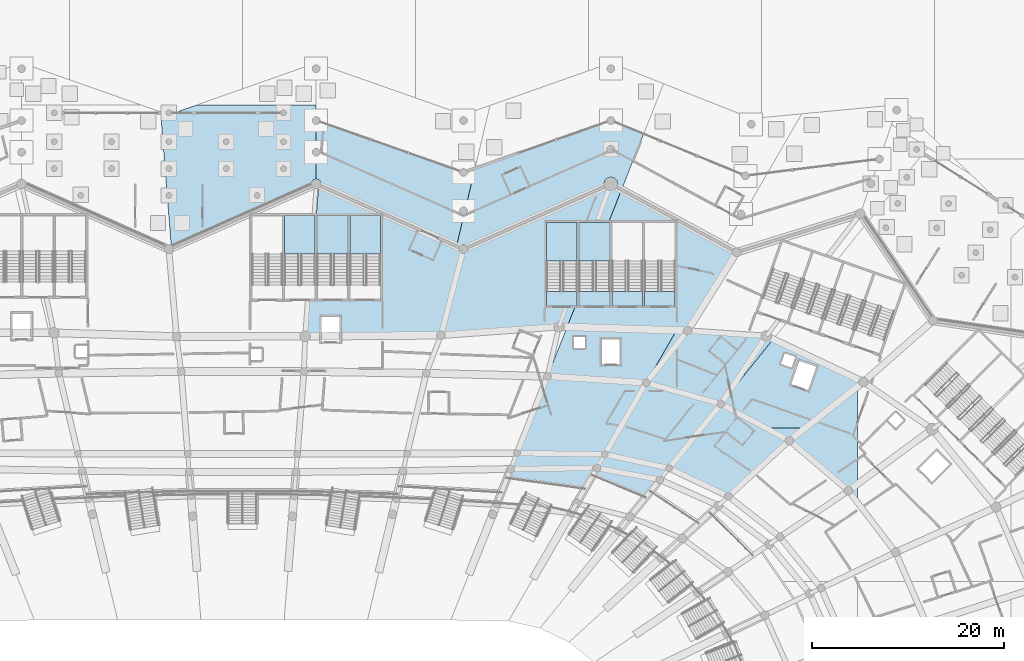
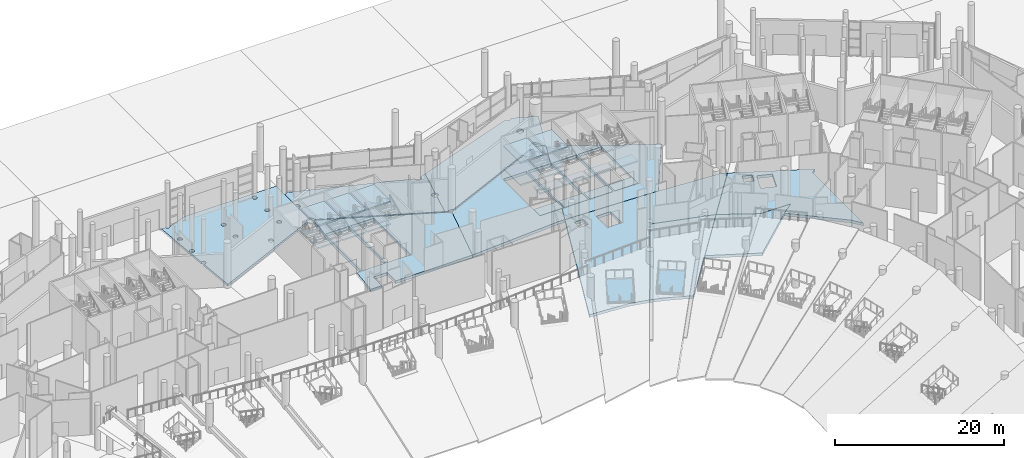
# One storey, part 96 of 255: 29 slabs, 7 elements without a shape of their own.
"""IFC4 building model written with IfcOpenShell, lengths in metres."""

from ifc_helpers import new_model, si_unit, direction, frame, origin, place, context, subcontext, project, spatial, polyline, outline, extrude, material, layer, layer_set, type_object, element, aggregate, save


model = new_model("IFC4")

# Units and contexts
model_context = context("Model", 3, precision=1e-05, world=origin(), true_north=direction((0.0, 1.0)))
body_context = subcontext(model_context, "Body", "Model", "MODEL_VIEW")
ifc_project = project(units=[si_unit("LENGTHUNIT", "METRE"), si_unit("AREAUNIT", "SQUARE_METRE"), si_unit("VOLUMEUNIT", "CUBIC_METRE"), si_unit("PLANEANGLEUNIT", "RADIAN"), si_unit("MASSUNIT", "GRAM", prefix="KILO")], contexts=[model_context])

# Site, building, storey
site_placement = place(None, origin())
site = spatial("IfcSite", under=ifc_project, at=site_placement, CompositionType="ELEMENT")
building_placement = place(site_placement, origin())
building = spatial("IfcBuilding", under=site, at=building_placement, Name="Meseta Stadium", CompositionType="ELEMENT")
storey_placement = place(building_placement, origin())
storey = spatial("IfcBuildingStorey", under=building, at=storey_placement, Name="L00", CompositionType="ELEMENT", Elevation=0.0)

# Slabs
ifc_material_1 = material(Name="Concrete C40/50", Category="concrete")
ifc_layer_1 = layer(ifc_material_1, 0.39990234375)
ifc_layer_set_1 = layer_set([ifc_layer_1], Name="Floor slab 400")
slab_type_1 = type_object("IfcSlabType", Name="Floor slab 400", PredefinedType="FLOOR", material=ifc_layer_set_1)
slab_1_placement = place(storey_placement, frame((0.0, 0.0, -0.39990234375)))
element("IfcSlab", 1, at=slab_1_placement, inside=storey, type_object=slab_type_1, Name="Floor slab L00 sector 07 panel 02", PredefinedType="FLOOR", context=body_context, shape_type="SweptSolid", body=[
    extrude(outline(polyline([(49.800048828125, 82.493896484375), (44.3994140625, 75.802001953125), (50.571533203125, 72.888916015625), (56.9150390625, 78.69580078125), (58.563720703125, 80.0), (54.4716796875, 80.0), (49.800048828125, 82.493896484375)])), origin(), (0.0, 0.0, 1.0), 0.39990234375),
])
slab_2_placement = place(storey_placement, frame((0.0, 0.0, -0.39990234375)))
element("IfcSlab", 2, at=slab_2_placement, inside=storey, type_object=slab_type_1, Name="Floor slab L00 sector 07 panel 03", PredefinedType="FLOOR", context=body_context, shape_type="SweptSolid", body=[
    extrude(outline(polyline([(64.0, 72.251708984375), (64.0, 84.300537109375), (64.6220703125, 84.79248046875), (55.242919921875, 89.238037109375), (49.800048828125, 82.493896484375), (54.4716796875, 80.0), (58.563720703125, 80.0), (56.9150390625, 78.69580078125), (63.068115234375, 73.469970703125), (64.0, 72.251708984375)]), holes=[polyline([(59.735595703125, 86.378173828125), (58.876953125, 83.924072265625), (57.08349609375, 84.551513671875), (57.9423828125, 87.005615234375), (59.735595703125, 86.378173828125)]), polyline([(57.156494140625, 86.274169921875), (56.02392578125, 86.67041015625), (56.42041015625, 87.802978515625), (57.552978515625, 87.40673828125), (57.156494140625, 86.274169921875)])]), origin(), (0.0, 0.0, 1.0), 0.39990234375),
])
slab_3_placement = place(storey_placement, frame((0.0, 0.0, -0.39990234375)))
element("IfcSlab", 3, at=slab_3_placement, inside=storey, type_object=slab_type_1, Name="Floor slab L00 sector 14 panel 08", PredefinedType="FLOOR", context=body_context, shape_type="SweptSolid", body=[
    extrude(outline(polyline([(10.11669921875, 91.60009765625), (10.11669921875, 89.574462890625), (20.649658203125, 89.65625), (23.0, 98.60009765625), (7.92724609375, 105.284423828125), (7.566650390625, 100.740478515625), (7.566650390625, 93.39990234375), (6.984130859375, 93.39990234375), (6.678466796875, 89.547607421875), (8.216796875, 89.5595703125), (8.216796875, 91.60009765625), (10.11669921875, 91.60009765625)]), holes=[polyline([(10.966796875, 102.10009765625), (10.966796875, 93.39990234375), (7.7666015625, 93.39990234375), (7.7666015625, 102.10009765625), (10.966796875, 102.10009765625)]), polyline([(14.36669921875, 102.10009765625), (14.36669921875, 93.39990234375), (11.166748046875, 93.39990234375), (11.166748046875, 102.10009765625), (14.36669921875, 102.10009765625)])]), origin(), (0.0, 0.0, 1.0), 0.39990234375),
])
slab_4_placement = place(storey_placement, frame((0.0, 0.0, -0.39990234375)))
element("IfcSlab", 4, at=slab_4_placement, inside=storey, type_object=slab_type_1, Name="Floor slab L00 sector 14 panel 10", PredefinedType="FLOOR", context=body_context, shape_type="SweptSolid", body=[
    extrude(outline(polyline([(38.09521484375, 101.39990234375), (39.443603515625, 104.798095703125), (38.333251953125, 105.39990234375), (23.0, 98.60009765625), (20.649658203125, 89.65625), (32.944091796875, 90.551025390625), (33.779541015625, 90.524658203125), (34.642822265625, 92.699951171875), (31.63330078125, 92.699951171875), (31.63330078125, 101.39990234375), (34.833251953125, 101.39990234375), (34.833251953125, 93.179931640625), (35.033203125, 93.683837890625), (35.033203125, 101.39990234375), (38.09521484375, 101.39990234375)])), origin(), (0.0, 0.0, 1.0), 0.39990234375),
])
slab_5_placement = place(storey_placement, frame((0.0, 0.0, -0.39990234375)))
element("IfcSlab", 5, at=slab_5_placement, inside=storey, type_object=slab_type_1, Name="Floor slab L00 sector 14 panel 11", PredefinedType="FLOOR", context=body_context, shape_type="SweptSolid", body=[
    extrude(outline(polyline([(33.32763671875, 71.380615234375), (34.185302734375, 71.16064453125), (45.169189453125, 90.1630859375), (33.779541015625, 90.524658203125), (26.461669921875, 72.08349609375), (28.178466796875, 71.9716796875), (29.8876953125, 71.856201171875), (31.589111328125, 71.7373046875), (32.4619140625, 71.572998046875), (33.32763671875, 71.380615234375)]), holes=[polyline([(37.38330078125, 89.251220703125), (39.283203125, 89.251220703125), (39.283203125, 86.651123046875), (37.38330078125, 86.651123046875), (37.38330078125, 89.251220703125)]), polyline([(35.683349609375, 88.301025390625), (34.4833984375, 88.301025390625), (34.4833984375, 89.501220703125), (35.683349609375, 89.501220703125), (35.683349609375, 88.301025390625)])]), origin(), (0.0, 0.0, 1.0), 0.39990234375),
])
slab_6_placement = place(storey_placement, frame((0.0, 0.0, -0.39990234375)))
element("IfcSlab", 6, at=slab_6_placement, inside=storey, type_object=slab_type_1, Name="Floor slab L00 sector 14 panel 12", PredefinedType="FLOOR", context=body_context, shape_type="SweptSolid", body=[
    extrude(outline(polyline([(42.015380859375, 84.707275390625), (34.185302734375, 71.16064453125), (35.033935546875, 70.9130859375), (35.873291015625, 70.638427734375), (36.701904296875, 70.3369140625), (37.519775390625, 70.0087890625), (38.325439453125, 69.654541015625), (39.109375, 69.279052734375), (49.78076171875, 82.501708984375), (42.015380859375, 84.707275390625)])), origin(), (0.0, 0.0, 1.0), 0.39990234375),
])
slab_7_placement = place(storey_placement, frame((0.0, 0.0, -0.39990234375)))
element("IfcSlab", 7, at=slab_7_placement, inside=storey, type_object=slab_type_1, Name="Floor slab L00 sector 14 panel 13", PredefinedType="FLOOR", context=body_context, shape_type="SweptSolid", body=[
    extrude(outline(polyline([(34.642822265625, 92.699951171875), (33.779541015625, 90.524658203125), (46.333251953125, 90.126220703125), (51.44140625, 98.29443359375), (39.443603515625, 104.798095703125), (38.09521484375, 101.39990234375), (38.2333984375, 101.39990234375), (38.2333984375, 92.699951171875), (35.033203125, 92.699951171875), (35.033203125, 93.683837890625), (34.833251953125, 93.179931640625), (34.833251953125, 92.699951171875), (34.642822265625, 92.699951171875)]), holes=[polyline([(38.433349609375, 101.39990234375), (41.63330078125, 101.39990234375), (41.63330078125, 92.699951171875), (38.433349609375, 92.699951171875), (38.433349609375, 101.39990234375)]), polyline([(41.833251953125, 101.39990234375), (45.033203125, 101.39990234375), (45.033203125, 92.699951171875), (41.833251953125, 92.699951171875), (41.833251953125, 101.39990234375)])]), origin(), (0.0, 0.0, 1.0), 0.39990234375),
])
slab_8_placement = place(storey_placement, frame((0.0, 0.0, -0.39990234375)))
element("IfcSlab", 8, at=slab_8_placement, inside=storey, type_object=slab_type_1, Name="Floor slab L00 sector 14 panel 14", PredefinedType="FLOOR", context=body_context, shape_type="SweptSolid", body=[
    extrude(outline(polyline([(42.015380859375, 84.707275390625), (49.78076171875, 82.501708984375), (55.224365234375, 89.246826171875), (54.523193359375, 89.579345703125), (46.333251953125, 90.126220703125), (45.169189453125, 90.1630859375), (42.015380859375, 84.707275390625)])), origin(), (0.0, 0.0, 1.0), 0.39990234375),
])
ifc_material_2 = material(Name="Concrete C30/37", Category="concrete")
ifc_layer_2 = layer(ifc_material_2, 0.300048828125)
ifc_layer_set_2 = layer_set([ifc_layer_2], Name="Gate grade slab 300")
slab_type_2 = type_object("IfcSlabType", Name="Gate grade slab 300", PredefinedType="BASESLAB", material=ifc_layer_set_2)
slab_9_placement = place(storey_placement, frame((0.0, 0.0, -0.300048828125)))
element("IfcSlab", 9, at=slab_9_placement, inside=storey, type_object=slab_type_2, Name="Gate ground floor slab 3 panel 02", PredefinedType="BASESLAB", context=body_context, shape_type="SweptSolid", body=[
    extrude(outline(polyline([(-7.9287109375, 112.648681640625), (-7.949951171875, 112.69970703125), (-8.531982421875, 112.90478515625), (-7.859619140625, 104.43017578125), (-7.818115234375, 104.4619140625), (-7.7451171875, 104.4921875), (-7.666748046875, 104.502685546875), (-7.58837890625, 104.4921875), (-7.515380859375, 104.4619140625), (-7.45263671875, 104.4140625), (-7.404541015625, 104.351318359375), (-7.37451171875, 104.2783203125), (-7.364013671875, 104.199951171875), (-7.37451171875, 104.12158203125), (-7.404541015625, 104.048583984375), (-7.45263671875, 103.986083984375), (-7.515380859375, 103.93798828125), (-7.58837890625, 103.90771484375), (-7.666748046875, 103.8974609375), (-7.7451171875, 103.90771484375), (-7.818115234375, 103.93798828125), (-7.820556640625, 103.93994140625), (-7.42724609375, 98.9833984375), (-7.36083984375, 98.9326171875), (7.165771484375, 105.374755859375), (7.162353515625, 105.39990234375), (7.179443359375, 105.530517578125), (7.22998046875, 105.652099609375), (7.31005859375, 105.756591796875), (7.41455078125, 105.836669921875), (7.5361328125, 105.88720703125), (7.666748046875, 105.904296875), (7.666748046875, 113.60009765625), (-4.8271484375, 113.60009765625), (-7.383544921875, 112.69970703125), (-7.404541015625, 112.648681640625), (-7.45263671875, 112.5859375), (-7.515380859375, 112.5380859375), (-7.58837890625, 112.5078125), (-7.666748046875, 112.497314453125), (-7.7451171875, 112.5078125), (-7.818115234375, 112.5380859375), (-7.880615234375, 112.5859375), (-7.9287109375, 112.648681640625)]), holes=[polyline([(-7.45263671875, 106.785888671875), (-7.515380859375, 106.738037109375), (-7.58837890625, 106.707763671875), (-7.666748046875, 106.697509765625), (-7.7451171875, 106.707763671875), (-7.818115234375, 106.738037109375), (-7.880615234375, 106.785888671875), (-7.9287109375, 106.8486328125), (-7.958984375, 106.921630859375), (-7.96923828125, 107.0), (-7.958984375, 107.078369140625), (-7.9287109375, 107.1513671875), (-7.880615234375, 107.214111328125), (-7.818115234375, 107.261962890625), (-7.7451171875, 107.292236328125), (-7.666748046875, 107.302490234375), (-7.58837890625, 107.292236328125), (-7.515380859375, 107.261962890625), (-7.45263671875, 107.214111328125), (-7.404541015625, 107.1513671875), (-7.37451171875, 107.078369140625), (-7.364013671875, 107.0), (-7.37451171875, 106.921630859375), (-7.404541015625, 106.8486328125), (-7.45263671875, 106.785888671875)]), polyline([(1.77880859375, 104.048583984375), (1.730712890625, 103.986083984375), (1.668212890625, 103.93798828125), (1.59521484375, 103.90771484375), (1.516845703125, 103.8974609375), (1.4384765625, 103.90771484375), (1.365478515625, 103.93798828125), (1.302734375, 103.986083984375), (1.254638671875, 104.048583984375), (1.224609375, 104.12158203125), (1.214111328125, 104.199951171875), (1.224609375, 104.2783203125), (1.254638671875, 104.351318359375), (1.302734375, 104.4140625), (1.365478515625, 104.4619140625), (1.4384765625, 104.4921875), (1.516845703125, 104.502685546875), (1.59521484375, 104.4921875), (1.668212890625, 104.4619140625), (1.730712890625, 104.4140625), (1.77880859375, 104.351318359375), (1.80908203125, 104.2783203125), (1.8193359375, 104.199951171875), (1.80908203125, 104.12158203125), (1.77880859375, 104.048583984375)]), polyline([(-1.486083984375, 106.785888671875), (-1.548583984375, 106.738037109375), (-1.62158203125, 106.707763671875), (-1.699951171875, 106.697509765625), (-1.7783203125, 106.707763671875), (-1.851318359375, 106.738037109375), (-1.9140625, 106.785888671875), (-1.9619140625, 106.8486328125), (-1.9921875, 106.921630859375), (-2.002685546875, 107.0), (-1.9921875, 107.078369140625), (-1.9619140625, 107.1513671875), (-1.9140625, 107.214111328125), (-1.851318359375, 107.261962890625), (-1.7783203125, 107.292236328125), (-1.699951171875, 107.302490234375), (-1.62158203125, 107.292236328125), (-1.548583984375, 107.261962890625), (-1.486083984375, 107.214111328125), (-1.43798828125, 107.1513671875), (-1.40771484375, 107.078369140625), (-1.3974609375, 107.0), (-1.40771484375, 106.921630859375), (-1.43798828125, 106.8486328125), (-1.486083984375, 106.785888671875)]), polyline([(4.52880859375, 106.8486328125), (4.480712890625, 106.785888671875), (4.41796875, 106.738037109375), (4.344970703125, 106.707763671875), (4.2666015625, 106.697509765625), (4.1884765625, 106.707763671875), (4.115478515625, 106.738037109375), (4.052734375, 106.785888671875), (4.004638671875, 106.8486328125), (3.974365234375, 106.921630859375), (3.964111328125, 107.0), (3.974365234375, 107.078369140625), (4.004638671875, 107.1513671875), (4.052734375, 107.214111328125), (4.115478515625, 107.261962890625), (4.1884765625, 107.292236328125), (4.2666015625, 107.302490234375), (4.344970703125, 107.292236328125), (4.41796875, 107.261962890625), (4.480712890625, 107.214111328125), (4.52880859375, 107.1513671875), (4.558837890625, 107.078369140625), (4.5693359375, 107.0), (4.558837890625, 106.921630859375), (4.52880859375, 106.8486328125)]), polyline([(-7.45263671875, 109.5859375), (-7.515380859375, 109.5380859375), (-7.58837890625, 109.5078125), (-7.666748046875, 109.497314453125), (-7.7451171875, 109.5078125), (-7.818115234375, 109.5380859375), (-7.880615234375, 109.5859375), (-7.9287109375, 109.648681640625), (-7.958984375, 109.7216796875), (-7.96923828125, 109.800048828125), (-7.958984375, 109.87841796875), (-7.9287109375, 109.951416015625), (-7.880615234375, 110.013916015625), (-7.818115234375, 110.06201171875), (-7.7451171875, 110.09228515625), (-7.666748046875, 110.1025390625), (-7.58837890625, 110.09228515625), (-7.515380859375, 110.06201171875), (-7.45263671875, 110.013916015625), (-7.404541015625, 109.951416015625), (-7.37451171875, 109.87841796875), (-7.364013671875, 109.800048828125), (-7.37451171875, 109.7216796875), (-7.404541015625, 109.648681640625), (-7.45263671875, 109.5859375)]), polyline([(-1.486083984375, 109.5859375), (-1.548583984375, 109.5380859375), (-1.62158203125, 109.5078125), (-1.699951171875, 109.497314453125), (-1.7783203125, 109.5078125), (-1.851318359375, 109.5380859375), (-1.9140625, 109.5859375), (-1.9619140625, 109.648681640625), (-1.9921875, 109.7216796875), (-2.002685546875, 109.800048828125), (-1.9921875, 109.87841796875), (-1.9619140625, 109.951416015625), (-1.9140625, 110.013916015625), (-1.851318359375, 110.06201171875), (-1.7783203125, 110.09228515625), (-1.699951171875, 110.1025390625), (-1.62158203125, 110.09228515625), (-1.548583984375, 110.06201171875), (-1.486083984375, 110.013916015625), (-1.43798828125, 109.951416015625), (-1.40771484375, 109.87841796875), (-1.3974609375, 109.800048828125), (-1.40771484375, 109.7216796875), (-1.43798828125, 109.648681640625), (-1.486083984375, 109.5859375)]), polyline([(4.52880859375, 109.648681640625), (4.480712890625, 109.5859375), (4.41796875, 109.5380859375), (4.344970703125, 109.5078125), (4.2666015625, 109.497314453125), (4.1884765625, 109.5078125), (4.115478515625, 109.5380859375), (4.052734375, 109.5859375), (4.004638671875, 109.648681640625), (3.974365234375, 109.7216796875), (3.964111328125, 109.800048828125), (3.974365234375, 109.87841796875), (4.004638671875, 109.951416015625), (4.052734375, 110.013916015625), (4.115478515625, 110.06201171875), (4.1884765625, 110.09228515625), (4.2666015625, 110.1025390625), (4.344970703125, 110.09228515625), (4.41796875, 110.06201171875), (4.480712890625, 110.013916015625), (4.52880859375, 109.951416015625), (4.558837890625, 109.87841796875), (4.5693359375, 109.800048828125), (4.558837890625, 109.7216796875), (4.52880859375, 109.648681640625)]), polyline([(4.480712890625, 112.5859375), (4.41796875, 112.5380859375), (4.344970703125, 112.5078125), (4.2666015625, 112.497314453125), (4.1884765625, 112.5078125), (4.115478515625, 112.5380859375), (4.052734375, 112.5859375), (4.004638671875, 112.648681640625), (3.974365234375, 112.7216796875), (3.964111328125, 112.800048828125), (3.974365234375, 112.87841796875), (4.004638671875, 112.951416015625), (4.052734375, 113.013916015625), (4.115478515625, 113.06201171875), (4.1884765625, 113.09228515625), (4.2666015625, 113.1025390625), (4.344970703125, 113.09228515625), (4.41796875, 113.06201171875), (4.480712890625, 113.013916015625), (4.52880859375, 112.951416015625), (4.558837890625, 112.87841796875), (4.5693359375, 112.800048828125), (4.558837890625, 112.7216796875), (4.52880859375, 112.648681640625), (4.480712890625, 112.5859375)])]), origin(), (0.0, 0.0, 1.0), 0.300048828125),
])
ifc_material_3 = material(Name="Concrete C30/37", Category="concrete")
ifc_layer_3 = layer(ifc_material_3, 0.300048828125)
ifc_layer_set_3 = layer_set([ifc_layer_3], Name="Ring grade slab 300")
slab_type_3 = type_object("IfcSlabType", Name="Ring grade slab 300", PredefinedType="BASESLAB", material=ifc_layer_set_3)
slab_10_placement = place(storey_placement, frame((0.0, 0.0, -0.300048828125)))
element("IfcSlab", 10, at=slab_10_placement, inside=storey, type_object=slab_type_3, Name="Ring ground floor slab 2 panel 01", PredefinedType="BASESLAB", context=body_context, shape_type="SweptSolid", body=[
    extrude(outline(polyline([(7.666748046875, 108.29638671875), (7.666748046875, 105.904296875), (7.797119140625, 105.88720703125), (7.918701171875, 105.836669921875), (8.023193359375, 105.756591796875), (8.103515625, 105.652099609375), (8.15380859375, 105.530517578125), (8.1708984375, 105.39990234375), (8.16357421875, 105.34375), (22.302978515625, 99.072998046875), (23.04833984375, 102.202880859375), (23.0, 102.196533203125), (22.8955078125, 102.210205078125), (22.79833984375, 102.25048828125), (22.714599609375, 102.314697265625), (22.650634765625, 102.398193359375), (22.6103515625, 102.49560546875), (22.596435546875, 102.60009765625), (22.6103515625, 102.704345703125), (22.650634765625, 102.8017578125), (22.714599609375, 102.88525390625), (22.79833984375, 102.949462890625), (22.8955078125, 102.98974609375), (23.0, 103.00341796875), (23.1044921875, 102.98974609375), (23.20166015625, 102.949462890625), (23.222412109375, 102.93359375), (24.195556640625, 107.02099609375), (23.377685546875, 106.733154296875), (23.3896484375, 106.704345703125), (23.403564453125, 106.60009765625), (23.3896484375, 106.49560546875), (23.349365234375, 106.398193359375), (23.285400390625, 106.314697265625), (23.20166015625, 106.25048828125), (23.1044921875, 106.210205078125), (23.0, 106.196533203125), (22.8955078125, 106.210205078125), (22.79833984375, 106.25048828125), (22.714599609375, 106.314697265625), (22.650634765625, 106.398193359375), (22.6103515625, 106.49560546875), (22.596435546875, 106.60009765625), (22.6103515625, 106.704345703125), (22.622314453125, 106.733154296875), (8.04443359375, 111.866943359375), (8.01611328125, 111.79833984375), (7.951904296875, 111.714599609375), (7.868408203125, 111.650634765625), (7.77099609375, 111.6103515625), (7.666748046875, 111.596435546875), (7.666748046875, 109.103515625), (7.77099609375, 109.089599609375), (7.868408203125, 109.04931640625), (7.951904296875, 108.9853515625), (8.01611328125, 108.901611328125), (8.056396484375, 108.804443359375), (8.070068359375, 108.699951171875), (8.056396484375, 108.595703125), (8.01611328125, 108.498291015625), (7.951904296875, 108.414794921875), (7.868408203125, 108.3505859375), (7.77099609375, 108.310302734375), (7.666748046875, 108.29638671875)])), origin(), (0.0, 0.0, 1.0), 0.300048828125),
])
slab_11_placement = place(storey_placement, frame((0.0, 0.0, -0.300048828125)))
element("IfcSlab", 11, at=slab_11_placement, inside=storey, type_object=slab_type_3, Name="Ring ground floor slab 2 panel 02", PredefinedType="BASESLAB", context=body_context, shape_type="SweptSolid", body=[
    extrude(outline(polyline([(37.98388671875, 111.79833984375), (37.95556640625, 111.866943359375), (24.195556640625, 107.02099609375), (23.222412109375, 102.93359375), (23.285400390625, 102.88525390625), (23.349365234375, 102.8017578125), (23.3896484375, 102.704345703125), (23.403564453125, 102.60009765625), (23.3896484375, 102.49560546875), (23.349365234375, 102.398193359375), (23.285400390625, 102.314697265625), (23.20166015625, 102.25048828125), (23.1044921875, 102.210205078125), (23.04833984375, 102.202880859375), (22.302978515625, 99.072998046875), (22.670654296875, 98.91015625), (22.67919921875, 98.9208984375), (22.773193359375, 98.9931640625), (22.882568359375, 99.038330078125), (23.0, 99.053955078125), (23.117431640625, 99.038330078125), (23.226806640625, 98.9931640625), (23.32080078125, 98.9208984375), (23.329345703125, 98.91015625), (37.645751953125, 105.25927734375), (37.627197265625, 105.39990234375), (37.6513671875, 105.582763671875), (37.721923828125, 105.7529296875), (37.833984375, 105.899169921875), (37.980224609375, 106.011474609375), (38.150634765625, 106.08203125), (38.333251953125, 106.10595703125), (38.51611328125, 106.08203125), (38.686279296875, 106.011474609375), (38.83251953125, 105.899169921875), (38.94482421875, 105.7529296875), (39.015380859375, 105.582763671875), (39.039306640625, 105.39990234375), (39.015380859375, 105.21728515625), (39.009765625, 105.203857421875), (39.49951171875, 104.9384765625), (41.7451171875, 110.59765625), (38.703369140625, 111.847900390625), (38.6826171875, 111.79833984375), (38.61865234375, 111.714599609375), (38.53515625, 111.650634765625), (38.437744140625, 111.6103515625), (38.333251953125, 111.596435546875), (38.22900390625, 111.6103515625), (38.131591796875, 111.650634765625), (38.048095703125, 111.714599609375), (37.98388671875, 111.79833984375)]), holes=[polyline([(38.22900390625, 108.6103515625), (38.131591796875, 108.650634765625), (38.048095703125, 108.714599609375), (37.98388671875, 108.79833984375), (37.943603515625, 108.8955078125), (37.929931640625, 109.0), (37.943603515625, 109.1044921875), (37.98388671875, 109.20166015625), (38.048095703125, 109.285400390625), (38.131591796875, 109.349365234375), (38.22900390625, 109.3896484375), (38.333251953125, 109.403564453125), (38.437744140625, 109.3896484375), (38.53515625, 109.349365234375), (38.61865234375, 109.285400390625), (38.6826171875, 109.20166015625), (38.722900390625, 109.1044921875), (38.73681640625, 109.0), (38.722900390625, 108.8955078125), (38.6826171875, 108.79833984375), (38.61865234375, 108.714599609375), (38.53515625, 108.650634765625), (38.437744140625, 108.6103515625), (38.333251953125, 108.596435546875), (38.22900390625, 108.6103515625)])]), origin(), (0.0, 0.0, 1.0), 0.300048828125),
])

# Stair, slabs
ifc_material_4 = material(Name="Concrete C40/50", Category="concrete")
stair_type = type_object("IfcStairType", Name="Exit stair 4 flights 148 mm risers", PredefinedType="HALF_TURN_STAIR", material=ifc_material_4)
stair_1_placement = place(storey_placement, origin())
stair_1 = element("IfcStair", 12, at=stair_1_placement, inside=storey, type_object=stair_type, Name="ST33 L00", PredefinedType="HALF_TURN_STAIR")
ifc_material_5 = material(Name="Concrete C40/50", Category="concrete")
ifc_layer_4 = layer(ifc_material_5, 0.199951171875)
ifc_layer_set_4 = layer_set([ifc_layer_4], Name="Stair landing 200")
slab_type_4 = type_object("IfcSlabType", Name="Stair landing 200", PredefinedType="LANDING", material=ifc_layer_set_4)
slab_12_placement = place(storey_placement, frame((0.0, 0.0, 3.050048828125)))
slab_12 = element("IfcSlab", 13, at=slab_12_placement, type_object=slab_type_4, Name="ST33 L00 landing 2", PredefinedType="LANDING", context=body_context, shape_type="SweptSolid", body=[
    extrude(outline(polyline([(45.033447265625, 92.699951171875), (45.033447265625, 94.2099609375), (41.833251953125, 94.2099609375), (41.833251953125, 92.699951171875), (45.033447265625, 92.699951171875)])), origin(), (0.0, 0.0, 1.0), 0.199951171875),
])
slab_13_placement = place(storey_placement, frame((0.0, 0.0, -0.199951171875)))
slab_13 = element("IfcSlab", 14, at=slab_13_placement, type_object=slab_type_4, Name="ST33 L00 landing 4", PredefinedType="LANDING", context=body_context, shape_type="SweptSolid", body=[
    extrude(outline(polyline([(45.033447265625, 92.699951171875), (45.033447265625, 94.2099609375), (41.833251953125, 94.2099609375), (41.833251953125, 92.699951171875), (45.033447265625, 92.699951171875)])), origin(), (0.0, 0.0, 1.0), 0.199951171875),
])
aggregate(stair_1, [slab_12, slab_13])

stair_2_placement = place(storey_placement, origin())
stair_2 = element("IfcStair", 15, at=stair_2_placement, inside=storey, type_object=stair_type, Name="ST34 L00", PredefinedType="HALF_TURN_STAIR")
slab_14_placement = place(storey_placement, frame((0.0, 0.0, 3.050048828125)))
slab_14 = element("IfcSlab", 16, at=slab_14_placement, type_object=slab_type_4, Name="ST34 L00 landing 2", PredefinedType="LANDING", context=body_context, shape_type="SweptSolid", body=[
    extrude(outline(polyline([(41.63330078125, 92.699951171875), (41.63330078125, 94.2099609375), (38.433349609375, 94.2099609375), (38.433349609375, 92.699951171875), (41.63330078125, 92.699951171875)])), origin(), (0.0, 0.0, 1.0), 0.199951171875),
])
slab_15_placement = place(storey_placement, frame((0.0, 0.0, -0.199951171875)))
slab_15 = element("IfcSlab", 17, at=slab_15_placement, type_object=slab_type_4, Name="ST34 L00 landing 4", PredefinedType="LANDING", context=body_context, shape_type="SweptSolid", body=[
    extrude(outline(polyline([(41.63330078125, 92.699951171875), (41.63330078125, 94.2099609375), (38.433349609375, 94.2099609375), (38.433349609375, 92.699951171875), (41.63330078125, 92.699951171875)])), origin(), (0.0, 0.0, 1.0), 0.199951171875),
])
aggregate(stair_2, [slab_14, slab_15])

stair_3_placement = place(storey_placement, origin())
stair_3 = element("IfcStair", 18, at=stair_3_placement, inside=storey, type_object=stair_type, Name="ST35 L00", PredefinedType="HALF_TURN_STAIR")
slab_16_placement = place(storey_placement, frame((0.0, 0.0, 1.425048828125)))
slab_16 = element("IfcSlab", 19, at=slab_16_placement, type_object=slab_type_4, Name="ST35 L00 landing 1", PredefinedType="LANDING", context=body_context, shape_type="SweptSolid", body=[
    extrude(outline(polyline([(38.2333984375, 97.389892578125), (38.2333984375, 101.39990234375), (35.033447265625, 101.39990234375), (35.033447265625, 97.389892578125), (38.2333984375, 97.389892578125)])), origin(), (0.0, 0.0, 1.0), 0.199951171875),
])
slab_17_placement = place(storey_placement, frame((0.0, 0.0, 3.050048828125)))
slab_17 = element("IfcSlab", 20, at=slab_17_placement, type_object=slab_type_4, Name="ST35 L00 landing 2", PredefinedType="LANDING", context=body_context, shape_type="SweptSolid", body=[
    extrude(outline(polyline([(38.2333984375, 92.699951171875), (38.2333984375, 94.2099609375), (35.033447265625, 94.2099609375), (35.033447265625, 92.699951171875), (38.2333984375, 92.699951171875)])), origin(), (0.0, 0.0, 1.0), 0.199951171875),
])
slab_18_placement = place(storey_placement, frame((0.0, 0.0, 4.675048828125)))
slab_18 = element("IfcSlab", 21, at=slab_18_placement, type_object=slab_type_4, Name="ST35 L00 landing 3", PredefinedType="LANDING", context=body_context, shape_type="SweptSolid", body=[
    extrude(outline(polyline([(38.2333984375, 97.389892578125), (38.2333984375, 101.39990234375), (35.033447265625, 101.39990234375), (35.033447265625, 97.389892578125), (38.2333984375, 97.389892578125)])), origin(), (0.0, 0.0, 1.0), 0.199951171875),
])
slab_19_placement = place(storey_placement, frame((0.0, 0.0, -0.199951171875)))
slab_19 = element("IfcSlab", 22, at=slab_19_placement, type_object=slab_type_4, Name="ST35 L00 landing 4", PredefinedType="LANDING", context=body_context, shape_type="SweptSolid", body=[
    extrude(outline(polyline([(38.2333984375, 92.699951171875), (38.2333984375, 94.2099609375), (35.033447265625, 94.2099609375), (35.033447265625, 92.699951171875), (38.2333984375, 92.699951171875)])), origin(), (0.0, 0.0, 1.0), 0.199951171875),
])
aggregate(stair_3, [slab_16, slab_17, slab_18, slab_19])

stair_4_placement = place(storey_placement, origin())
stair_4 = element("IfcStair", 23, at=stair_4_placement, inside=storey, type_object=stair_type, Name="ST36 L00", PredefinedType="HALF_TURN_STAIR")
slab_20_placement = place(storey_placement, frame((0.0, 0.0, 1.425048828125)))
slab_20 = element("IfcSlab", 24, at=slab_20_placement, type_object=slab_type_4, Name="ST36 L00 landing 1", PredefinedType="LANDING", context=body_context, shape_type="SweptSolid", body=[
    extrude(outline(polyline([(34.833251953125, 97.389892578125), (34.833251953125, 101.39990234375), (31.63330078125, 101.39990234375), (31.63330078125, 97.389892578125), (34.833251953125, 97.389892578125)])), origin(), (0.0, 0.0, 1.0), 0.199951171875),
])
slab_21_placement = place(storey_placement, frame((0.0, 0.0, 3.050048828125)))
slab_21 = element("IfcSlab", 25, at=slab_21_placement, type_object=slab_type_4, Name="ST36 L00 landing 2", PredefinedType="LANDING", context=body_context, shape_type="SweptSolid", body=[
    extrude(outline(polyline([(34.833251953125, 92.699951171875), (34.833251953125, 94.2099609375), (31.63330078125, 94.2099609375), (31.63330078125, 92.699951171875), (34.833251953125, 92.699951171875)])), origin(), (0.0, 0.0, 1.0), 0.199951171875),
])
slab_22_placement = place(storey_placement, frame((0.0, 0.0, 4.675048828125)))
slab_22 = element("IfcSlab", 26, at=slab_22_placement, type_object=slab_type_4, Name="ST36 L00 landing 3", PredefinedType="LANDING", context=body_context, shape_type="SweptSolid", body=[
    extrude(outline(polyline([(34.833251953125, 97.389892578125), (34.833251953125, 101.39990234375), (31.63330078125, 101.39990234375), (31.63330078125, 97.389892578125), (34.833251953125, 97.389892578125)])), origin(), (0.0, 0.0, 1.0), 0.199951171875),
])
slab_23_placement = place(storey_placement, frame((0.0, 0.0, -0.199951171875)))
slab_23 = element("IfcSlab", 27, at=slab_23_placement, type_object=slab_type_4, Name="ST36 L00 landing 4", PredefinedType="LANDING", context=body_context, shape_type="SweptSolid", body=[
    extrude(outline(polyline([(34.833251953125, 92.699951171875), (34.833251953125, 94.2099609375), (31.63330078125, 94.2099609375), (31.63330078125, 92.699951171875), (34.833251953125, 92.699951171875)])), origin(), (0.0, 0.0, 1.0), 0.199951171875),
])
aggregate(stair_4, [slab_20, slab_21, slab_22, slab_23])

stair_5_placement = place(storey_placement, origin())
stair_5 = element("IfcStair", 28, at=stair_5_placement, inside=storey, type_object=stair_type, Name="ST37 L00", PredefinedType="HALF_TURN_STAIR")
slab_24_placement = place(storey_placement, frame((0.0, 0.0, 1.425048828125)))
slab_24 = element("IfcSlab", 29, at=slab_24_placement, type_object=slab_type_4, Name="ST37 L00 landing 1", PredefinedType="LANDING", context=body_context, shape_type="SweptSolid", body=[
    extrude(outline(polyline([(14.36669921875, 98.090087890625), (14.36669921875, 102.10009765625), (11.166748046875, 102.10009765625), (11.166748046875, 98.090087890625), (14.36669921875, 98.090087890625)])), origin(), (0.0, 0.0, 1.0), 0.199951171875),
])
slab_25_placement = place(storey_placement, frame((0.0, 0.0, 4.675048828125)))
slab_25 = element("IfcSlab", 30, at=slab_25_placement, type_object=slab_type_4, Name="ST37 L00 landing 3", PredefinedType="LANDING", context=body_context, shape_type="SweptSolid", body=[
    extrude(outline(polyline([(14.36669921875, 98.090087890625), (14.36669921875, 102.10009765625), (11.166748046875, 102.10009765625), (11.166748046875, 98.090087890625), (14.36669921875, 98.090087890625)])), origin(), (0.0, 0.0, 1.0), 0.199951171875),
])
aggregate(stair_5, [slab_24, slab_25])

stair_6_placement = place(storey_placement, origin())
stair_6 = element("IfcStair", 31, at=stair_6_placement, inside=storey, type_object=stair_type, Name="ST38 L00", PredefinedType="HALF_TURN_STAIR")
slab_26_placement = place(storey_placement, frame((0.0, 0.0, 1.425048828125)))
slab_26 = element("IfcSlab", 32, at=slab_26_placement, type_object=slab_type_4, Name="ST38 L00 landing 1", PredefinedType="LANDING", context=body_context, shape_type="SweptSolid", body=[
    extrude(outline(polyline([(10.966552734375, 98.090087890625), (10.966552734375, 102.10009765625), (7.7666015625, 102.10009765625), (7.7666015625, 98.090087890625), (10.966552734375, 98.090087890625)])), origin(), (0.0, 0.0, 1.0), 0.199951171875),
])
slab_27_placement = place(storey_placement, frame((0.0, 0.0, 4.675048828125)))
slab_27 = element("IfcSlab", 33, at=slab_27_placement, type_object=slab_type_4, Name="ST38 L00 landing 3", PredefinedType="LANDING", context=body_context, shape_type="SweptSolid", body=[
    extrude(outline(polyline([(10.966552734375, 98.090087890625), (10.966552734375, 102.10009765625), (7.7666015625, 102.10009765625), (7.7666015625, 98.090087890625), (10.966552734375, 98.090087890625)])), origin(), (0.0, 0.0, 1.0), 0.199951171875),
])
aggregate(stair_6, [slab_26, slab_27])

stair_7_placement = place(storey_placement, origin())
stair_7 = element("IfcStair", 34, at=stair_7_placement, inside=storey, type_object=stair_type, Name="ST39 L00", PredefinedType="HALF_TURN_STAIR")
slab_28_placement = place(storey_placement, frame((0.0, 0.0, 1.425048828125)))
slab_28 = element("IfcSlab", 35, at=slab_28_placement, type_object=slab_type_4, Name="ST39 L00 landing 1", PredefinedType="LANDING", context=body_context, shape_type="SweptSolid", body=[
    extrude(outline(polyline([(7.566650390625, 98.090087890625), (7.566650390625, 102.10009765625), (4.36669921875, 102.10009765625), (4.36669921875, 98.090087890625), (7.566650390625, 98.090087890625)])), origin(), (0.0, 0.0, 1.0), 0.199951171875),
])
slab_29_placement = place(storey_placement, frame((0.0, 0.0, 4.675048828125)))
slab_29 = element("IfcSlab", 36, at=slab_29_placement, type_object=slab_type_4, Name="ST39 L00 landing 3", PredefinedType="LANDING", context=body_context, shape_type="SweptSolid", body=[
    extrude(outline(polyline([(7.566650390625, 98.090087890625), (7.566650390625, 102.10009765625), (4.36669921875, 102.10009765625), (4.36669921875, 98.090087890625), (7.566650390625, 98.090087890625)])), origin(), (0.0, 0.0, 1.0), 0.199951171875),
])
aggregate(stair_7, [slab_28, slab_29])

save(model, "model.ifc")
